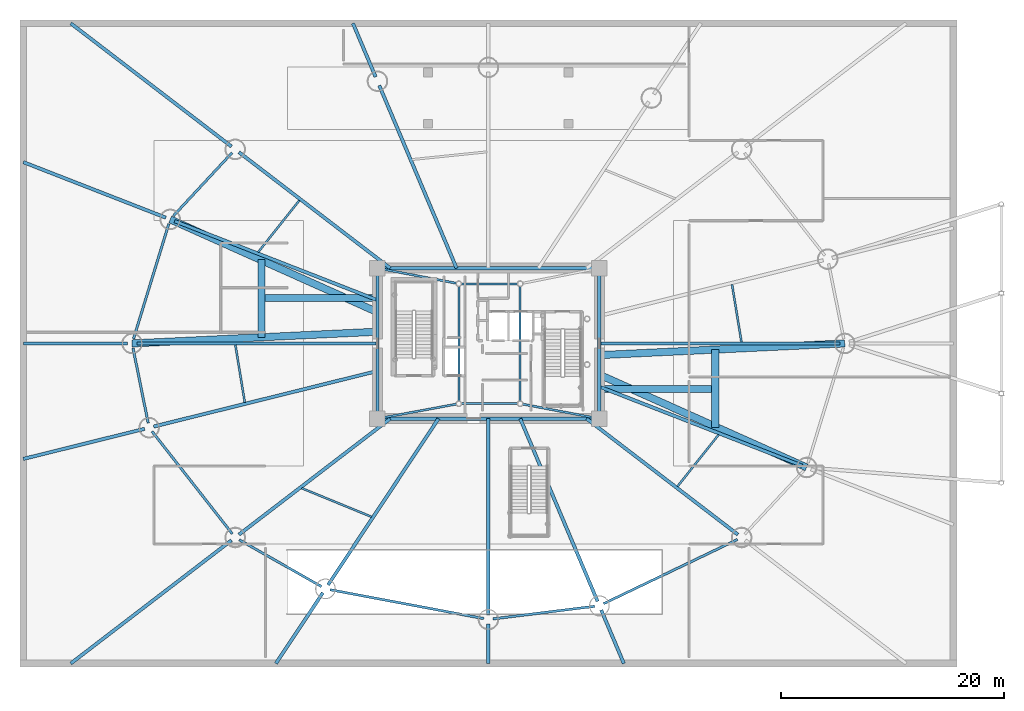
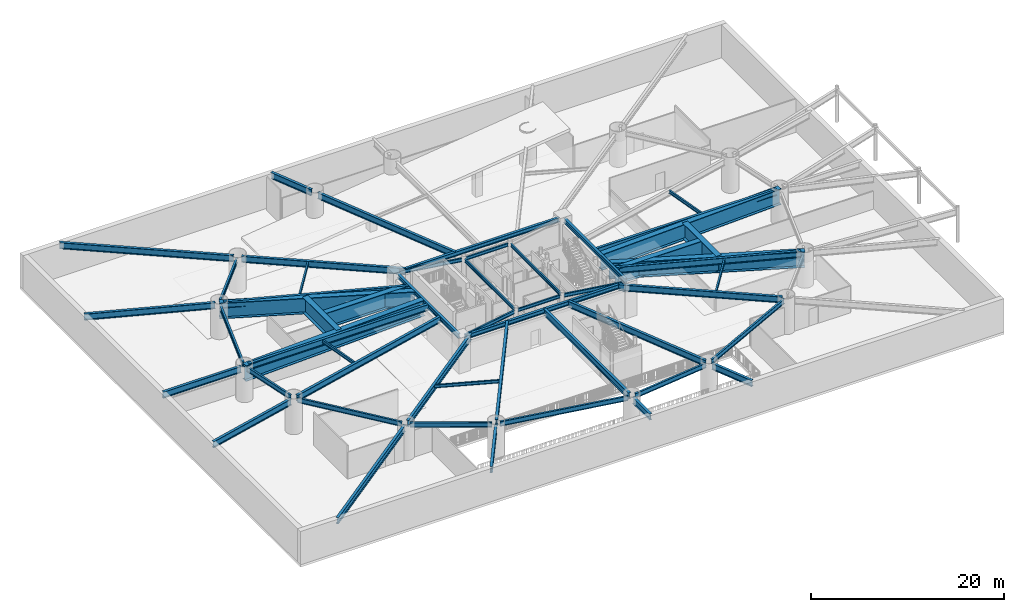
# One storey, part 5 of 21: 53 beams.
"""IFC4 building model written with IfcOpenShell, lengths in metres."""

from ifc_helpers import new_model, si_unit, direction, frame, origin, origin_2d, place, context, subcontext, project, spatial, i_section, extrude, material, material_profile, profile_set, type_object, element, save


model = new_model("IFC4")

# Units and contexts
model_context = context("Model", 3, precision=1e-05, world=origin(), true_north=direction((0.0, 1.0)))
body_context = subcontext(model_context, "Body", "Model", "MODEL_VIEW")
ifc_project = project(units=[si_unit("LENGTHUNIT", "METRE"), si_unit("AREAUNIT", "SQUARE_METRE"), si_unit("VOLUMEUNIT", "CUBIC_METRE"), si_unit("PLANEANGLEUNIT", "RADIAN"), si_unit("MASSUNIT", "GRAM", prefix="KILO")], contexts=[model_context])

# Site, building, storey
site_placement = place(None, origin())
site = spatial("IfcSite", under=ifc_project, at=site_placement, CompositionType="ELEMENT")
building_placement = place(site_placement, origin())
building = spatial("IfcBuilding", under=site, at=building_placement, Name="Linh Dai School and Residence Tower", CompositionType="ELEMENT")
storey_placement = place(building_placement, frame((0.0, 0.0, -4.5)))
storey = spatial("IfcBuildingStorey", under=building, at=storey_placement, Name="B01", CompositionType="ELEMENT", Elevation=-4.5)

# Beams
ifc_material = material(Name="Structural Steel S355JR", Category="steel")
ifc_material_profile_1 = material_profile(ifc_material, i_section(OverallWidth=0.219970703125, OverallDepth=0.60009765625, WebThickness=0.011962890625, FlangeThickness=0.01904296875, FilletRadius=0.02392578125, at=origin_2d()), Name="IPE 600")
ifc_profile_set_1 = profile_set([ifc_material_profile_1], Name="Structural Steel S355JR")
beam_type_1 = type_object("IfcBeamType", Name="BM-RB60", PredefinedType="BEAM", material=ifc_profile_set_1)
beam_1_placement = place(storey_placement, frame((13.009033203125, 44.0927734375, 3.89990234375), z_axis=(-0.680345653715, -0.73289139132, 0.0), x_axis=(0.73289139132, -0.680345653715, 0.0)))
element("IfcBeam", 1, at=beam_1_placement, inside=storey, type_object=beam_type_1, Name="B01 Perimeter Elliptical Ring Beam 07", PredefinedType="BEAM", context=body_context, shape_type="SweptSolid", body=[
    extrude(i_section(OverallWidth=0.219970703125, OverallDepth=0.60009765625, WebThickness=0.011962890625, FlangeThickness=0.01904296875, FilletRadius=0.02392578125, at=origin_2d()), origin(), (0.0, 0.0, 1.0), 7.726806640625),
])
beam_2_placement = place(storey_placement, frame((7.343017578125, 37.720458984375, 3.89990234375), z_axis=(-0.293626522026, -0.955920219246, 0.0), x_axis=(0.955920219246, -0.293626522026, 0.0)))
element("IfcBeam", 2, at=beam_2_placement, inside=storey, type_object=beam_type_1, Name="B01 Perimeter Elliptical Ring Beam 08", PredefinedType="BEAM", context=body_context, shape_type="SweptSolid", body=[
    extrude(i_section(OverallWidth=0.219970703125, OverallDepth=0.60009765625, WebThickness=0.011962890625, FlangeThickness=0.01904296875, FilletRadius=0.02392578125, at=origin_2d()), origin(), (0.0, 0.0, 1.0), 10.794921875),
])
beam_3_placement = place(storey_placement, frame((4.13330078125, 26.58837890625, 3.89990234375), z_axis=(0.198405440792, -0.980120034008, 0.0), x_axis=(0.980120034008, 0.198405440792, 0.0)))
element("IfcBeam", 3, at=beam_3_placement, inside=storey, type_object=beam_type_1, Name="B01 Perimeter Elliptical Ring Beam 09", PredefinedType="BEAM", context=body_context, shape_type="SweptSolid", body=[
    extrude(i_section(OverallWidth=0.219970703125, OverallDepth=0.60009765625, WebThickness=0.011962890625, FlangeThickness=0.01904296875, FilletRadius=0.02392578125, at=origin_2d()), origin(), (0.0, 0.0, 1.0), 6.86865234375),
])
beam_4_placement = place(storey_placement, frame((5.838623046875, 19.114013671875, 3.89990234375), z_axis=(0.616811949607, -0.787110550572, 0.0), x_axis=(0.787110550572, 0.616811949607, 0.0)))
element("IfcBeam", 4, at=beam_4_placement, inside=storey, type_object=beam_type_1, Name="B01 Perimeter Elliptical Ring Beam 10", PredefinedType="BEAM", context=body_context, shape_type="SweptSolid", body=[
    extrude(i_section(OverallWidth=0.219970703125, OverallDepth=0.60009765625, WebThickness=0.011962890625, FlangeThickness=0.01904296875, FilletRadius=0.02392578125, at=origin_2d()), origin(), (0.0, 0.0, 1.0), 11.668212890625),
])
beam_5_placement = place(storey_placement, frame((13.659912109375, 9.3916015625, 3.89990234375), z_axis=(0.869246663758, -0.494378637833, 0.0), x_axis=(0.494378637833, 0.869246663758, 0.0)))
element("IfcBeam", 5, at=beam_5_placement, inside=storey, type_object=beam_type_1, Name="B01 Perimeter Elliptical Ring Beam 11", PredefinedType="BEAM", context=body_context, shape_type="SweptSolid", body=[
    extrude(i_section(OverallWidth=0.219970703125, OverallDepth=0.60009765625, WebThickness=0.011962890625, FlangeThickness=0.01904296875, FilletRadius=0.02392578125, at=origin_2d()), origin(), (0.0, 0.0, 1.0), 8.4736328125),
])
beam_6_placement = place(storey_placement, frame((21.803466796875, 4.917236328125, 3.89990234375), z_axis=(0.98280551354, -0.184643772045, 0.0), x_axis=(0.184643772045, 0.98280551354, 0.0)))
element("IfcBeam", 6, at=beam_6_placement, inside=storey, type_object=beam_type_1, Name="B01 Perimeter Elliptical Ring Beam 12", PredefinedType="BEAM", context=body_context, shape_type="SweptSolid", body=[
    extrude(i_section(OverallWidth=0.219970703125, OverallDepth=0.60009765625, WebThickness=0.011962890625, FlangeThickness=0.01904296875, FilletRadius=0.02392578125, at=origin_2d()), origin(), (0.0, 0.0, 1.0), 14.02490234375),
])
beam_7_placement = place(storey_placement, frame((36.416748046875, 2.3017578125, 3.89990234375), z_axis=(0.992402470446, 0.123033884169, 0.0), x_axis=(-0.123033884169, 0.992402470446, 0.0)))
element("IfcBeam", 7, at=beam_7_placement, inside=storey, type_object=beam_type_1, Name="B01 Perimeter Elliptical Ring Beam 13", PredefinedType="BEAM", context=body_context, shape_type="SweptSolid", body=[
    extrude(i_section(OverallWidth=0.219970703125, OverallDepth=0.60009765625, WebThickness=0.011962890625, FlangeThickness=0.01904296875, FilletRadius=0.02392578125, at=origin_2d()), origin(), (0.0, 0.0, 1.0), 9.1875),
])
beam_8_placement = place(storey_placement, frame((46.329833984375, 3.66552734375, 3.89990234375), z_axis=(0.901703667424, 0.432354595388, 0.0), x_axis=(-0.432354595388, 0.901703667424, 0.0)))
element("IfcBeam", 8, at=beam_8_placement, inside=storey, type_object=beam_type_1, Name="B01 Perimeter Elliptical Ring Beam 14", PredefinedType="BEAM", context=body_context, shape_type="SweptSolid", body=[
    extrude(i_section(OverallWidth=0.219970703125, OverallDepth=0.60009765625, WebThickness=0.011962890625, FlangeThickness=0.01904296875, FilletRadius=0.02392578125, at=origin_2d()), origin(), (0.0, 0.0, 1.0), 13.304443359375),
])
ifc_material_profile_2 = material_profile(ifc_material, i_section(OverallWidth=0.300048828125, OverallDepth=0.550048828125, WebThickness=0.014892578125, FlangeThickness=0.029052734375, FilletRadius=0.027099609375, at=origin_2d()), Name="HEB 550")
ifc_profile_set_2 = profile_set([ifc_material_profile_2], Name="Structural Steel S355JR")
beam_type_2 = type_object("IfcBeamType", Name="BM-RG55", PredefinedType="BEAM", material=ifc_profile_set_2)
beam_9_placement = place(storey_placement, frame((26.469970703125, 20.25, 3.925048828125), z_axis=(1.0, 0.0, 0.0), x_axis=(0.0, 1.0, 0.0)))
element("IfcBeam", 9, at=beam_9_placement, inside=storey, type_object=beam_type_2, Name="B01 Core Perimeter Coupling Girder 1", PredefinedType="BEAM", context=body_context, shape_type="SweptSolid", body=[
    extrude(i_section(OverallWidth=0.300048828125, OverallDepth=0.550048828125, WebThickness=0.014892578125, FlangeThickness=0.029052734375, FilletRadius=0.027099609375, at=origin_2d()), origin(), (0.0, 0.0, 1.0), 19.06005859375),
])
beam_10_placement = place(storey_placement, frame((45.949951171875, 20.669921875, 3.925048828125), z_axis=(0.0, 1.0, 0.0), x_axis=(-1.0, 0.0, 0.0)))
element("IfcBeam", 10, at=beam_10_placement, inside=storey, type_object=beam_type_2, Name="B01 Core Perimeter Coupling Girder 2", PredefinedType="BEAM", context=body_context, shape_type="SweptSolid", body=[
    extrude(i_section(OverallWidth=0.300048828125, OverallDepth=0.550048828125, WebThickness=0.014892578125, FlangeThickness=0.029052734375, FilletRadius=0.027099609375, at=origin_2d()), origin(), (0.0, 0.0, 1.0), 12.66015625),
])
beam_11_placement = place(storey_placement, frame((45.530029296875, 33.75, 3.925048828125), z_axis=(-1.0, 0.0, 0.0), x_axis=(0.0, -1.0, 0.0)))
element("IfcBeam", 11, at=beam_11_placement, inside=storey, type_object=beam_type_2, Name="B01 Core Perimeter Coupling Girder 3", PredefinedType="BEAM", context=body_context, shape_type="SweptSolid", body=[
    extrude(i_section(OverallWidth=0.300048828125, OverallDepth=0.550048828125, WebThickness=0.014892578125, FlangeThickness=0.029052734375, FilletRadius=0.027099609375, at=origin_2d()), origin(), (0.0, 0.0, 1.0), 19.06005859375),
])
beam_12_placement = place(storey_placement, frame((26.050048828125, 33.330078125, 3.925048828125), z_axis=(0.0, -1.0, 0.0), x_axis=(1.0, 0.0, 0.0)))
element("IfcBeam", 12, at=beam_12_placement, inside=storey, type_object=beam_type_2, Name="B01 Core Perimeter Coupling Girder 4", PredefinedType="BEAM", context=body_context, shape_type="SweptSolid", body=[
    extrude(i_section(OverallWidth=0.300048828125, OverallDepth=0.550048828125, WebThickness=0.014892578125, FlangeThickness=0.029052734375, FilletRadius=0.027099609375, at=origin_2d()), origin(), (0.0, 0.0, 1.0), 12.66015625),
])
ifc_material_profile_3 = material_profile(ifc_material, i_section(OverallWidth=0.300048828125, OverallDepth=0.800048828125, WebThickness=0.017578125, FlangeThickness=0.032958984375, FilletRadius=0.030029296875, at=origin_2d()), Name="HEB 800")
ifc_profile_set_3 = profile_set([ifc_material_profile_3], Name="Structural Steel S355JR")
beam_type_3 = type_object("IfcBeamType", Name="BM-RG8", PredefinedType="BEAM", material=ifc_profile_set_3)
beam_13_placement = place(storey_placement, frame((45.949951171875, 27.0, 3.800048828125), z_axis=(1.0, 0.0, 0.0), x_axis=(0.0, 1.0, 0.0)))
element("IfcBeam", 13, at=beam_13_placement, inside=storey, type_object=beam_type_3, Name="B01 Primary Radial Floor Girder 01", PredefinedType="BEAM", context=body_context, shape_type="SweptSolid", body=[
    extrude(i_section(OverallWidth=0.300048828125, OverallDepth=0.800048828125, WebThickness=0.017578125, FlangeThickness=0.032958984375, FilletRadius=0.030029296875, at=origin_2d()), origin(), (0.0, 0.0, 1.0), 21.580078125),
])
beam_14_placement = place(storey_placement, frame((33.1435546875, 33.75, 3.800048828125), z_axis=(-0.389695518128, 0.920943756779, 0.0), x_axis=(-0.920943756779, -0.389695518128, 0.0)))
element("IfcBeam", 14, at=beam_14_placement, inside=storey, type_object=beam_type_3, Name="B01 Primary Radial Floor Girder 06", PredefinedType="BEAM", context=body_context, shape_type="SweptSolid", body=[
    extrude(i_section(OverallWidth=0.300048828125, OverallDepth=0.800048828125, WebThickness=0.017578125, FlangeThickness=0.032958984375, FilletRadius=0.030029296875, at=origin_2d()), origin(), (0.0, 0.0, 1.0), 17.785400390625),
])
beam_15_placement = place(storey_placement, frame((27.192138671875, 33.75, 3.800048828125), z_axis=(-0.793713040757, 0.608292371259, 0.0), x_axis=(-0.608292371259, -0.793713040757, 0.0)))
element("IfcBeam", 15, at=beam_15_placement, inside=storey, type_object=beam_type_3, Name="B01 Primary Radial Floor Girder 07", PredefinedType="BEAM", context=body_context, shape_type="SweptSolid", body=[
    extrude(i_section(OverallWidth=0.300048828125, OverallDepth=0.800048828125, WebThickness=0.017578125, FlangeThickness=0.032958984375, FilletRadius=0.030029296875, at=origin_2d()), origin(), (0.0, 0.0, 1.0), 17.08935546875),
])
beam_16_placement = place(storey_placement, frame((26.050048828125, 30.87841796875, 3.800048828125), z_axis=(-0.931723276589, 0.363169018312, 0.0), x_axis=(-0.363169018312, -0.931723276589, 0.0)))
element("IfcBeam", 16, at=beam_16_placement, inside=storey, type_object=beam_type_3, Name="B01 Primary Radial Floor Girder 08", PredefinedType="BEAM", context=body_context, shape_type="SweptSolid", body=[
    extrude(i_section(OverallWidth=0.300048828125, OverallDepth=0.800048828125, WebThickness=0.017578125, FlangeThickness=0.032958984375, FilletRadius=0.030029296875, at=origin_2d()), origin(), (0.0, 0.0, 1.0), 19.525634765625),
])
beam_17_placement = place(storey_placement, frame((26.050048828125, 27.0, 3.800048828125), z_axis=(-1.0, 0.0, 0.0), x_axis=(0.0, -1.0, 0.0)))
element("IfcBeam", 17, at=beam_17_placement, inside=storey, type_object=beam_type_3, Name="B01 Primary Radial Floor Girder 09", PredefinedType="BEAM", context=body_context, shape_type="SweptSolid", body=[
    extrude(i_section(OverallWidth=0.300048828125, OverallDepth=0.800048828125, WebThickness=0.017578125, FlangeThickness=0.032958984375, FilletRadius=0.030029296875, at=origin_2d()), origin(), (0.0, 0.0, 1.0), 21.580078125),
])
beam_18_placement = place(storey_placement, frame((26.050048828125, 24.52880859375, 3.800048828125), z_axis=(-0.970515097282, -0.241040340913, 0.0), x_axis=(0.241040340913, -0.970515097282, 0.0)))
element("IfcBeam", 18, at=beam_18_placement, inside=storey, type_object=beam_type_3, Name="B01 Primary Radial Floor Girder 10", PredefinedType="BEAM", context=body_context, shape_type="SweptSolid", body=[
    extrude(i_section(OverallWidth=0.300048828125, OverallDepth=0.800048828125, WebThickness=0.017578125, FlangeThickness=0.032958984375, FilletRadius=0.030029296875, at=origin_2d()), origin(), (0.0, 0.0, 1.0), 20.672607421875),
])
beam_19_placement = place(storey_placement, frame((27.192138671875, 20.25, 3.800048828125), z_axis=(-0.793713040757, -0.608292371259, 0.0), x_axis=(0.608292371259, -0.793713040757, 0.0)))
element("IfcBeam", 19, at=beam_19_placement, inside=storey, type_object=beam_type_3, Name="B01 Primary Radial Floor Girder 11", PredefinedType="BEAM", context=body_context, shape_type="SweptSolid", body=[
    extrude(i_section(OverallWidth=0.300048828125, OverallDepth=0.800048828125, WebThickness=0.017578125, FlangeThickness=0.032958984375, FilletRadius=0.030029296875, at=origin_2d()), origin(), (0.0, 0.0, 1.0), 17.08935546875),
])
beam_20_placement = place(storey_placement, frame((31.518798828125, 20.25, 3.800048828125), z_axis=(-0.553108911901, -0.833108955404, 0.0), x_axis=(0.833108955404, -0.553108911901, 0.0)))
element("IfcBeam", 20, at=beam_20_placement, inside=storey, type_object=beam_type_3, Name="B01 Primary Radial Floor Girder 12", PredefinedType="BEAM", context=body_context, shape_type="SweptSolid", body=[
    extrude(i_section(OverallWidth=0.300048828125, OverallDepth=0.800048828125, WebThickness=0.017578125, FlangeThickness=0.032958984375, FilletRadius=0.030029296875, at=origin_2d()), origin(), (0.0, 0.0, 1.0), 17.89111328125),
])
beam_21_placement = place(storey_placement, frame((36.0, 20.25, 3.800048828125), z_axis=(0.0, -1.0, 0.0), x_axis=(1.0, 0.0, 0.0)))
element("IfcBeam", 21, at=beam_21_placement, inside=storey, type_object=beam_type_3, Name="B01 Primary Radial Floor Girder 13", PredefinedType="BEAM", context=body_context, shape_type="SweptSolid", body=[
    extrude(i_section(OverallWidth=0.300048828125, OverallDepth=0.800048828125, WebThickness=0.017578125, FlangeThickness=0.032958984375, FilletRadius=0.030029296875, at=origin_2d()), origin(), (0.0, 0.0, 1.0), 17.580078125),
])
beam_22_placement = place(storey_placement, frame((38.8564453125, 20.25, 3.800048828125), z_axis=(0.389695518128, -0.920943756779, 0.0), x_axis=(0.920943756779, 0.389695518128, 0.0)))
element("IfcBeam", 22, at=beam_22_placement, inside=storey, type_object=beam_type_3, Name="B01 Primary Radial Floor Girder 14", PredefinedType="BEAM", context=body_context, shape_type="SweptSolid", body=[
    extrude(i_section(OverallWidth=0.300048828125, OverallDepth=0.800048828125, WebThickness=0.017578125, FlangeThickness=0.032958984375, FilletRadius=0.030029296875, at=origin_2d()), origin(), (0.0, 0.0, 1.0), 17.785400390625),
])
beam_23_placement = place(storey_placement, frame((44.807861328125, 20.25, 3.800048828125), z_axis=(0.793713040757, -0.608292371259, 0.0), x_axis=(0.608292371259, 0.793713040757, 0.0)))
element("IfcBeam", 23, at=beam_23_placement, inside=storey, type_object=beam_type_3, Name="B01 Primary Radial Floor Girder 15", PredefinedType="BEAM", context=body_context, shape_type="SweptSolid", body=[
    extrude(i_section(OverallWidth=0.300048828125, OverallDepth=0.800048828125, WebThickness=0.017578125, FlangeThickness=0.032958984375, FilletRadius=0.030029296875, at=origin_2d()), origin(), (0.0, 0.0, 1.0), 17.08935546875),
])
beam_24_placement = place(storey_placement, frame((45.949951171875, 23.12158203125, 3.800048828125), z_axis=(0.931723276589, -0.363169018312, 0.0), x_axis=(0.363169018312, 0.931723276589, 0.0)))
element("IfcBeam", 24, at=beam_24_placement, inside=storey, type_object=beam_type_3, Name="B01 Primary Radial Floor Girder 16", PredefinedType="BEAM", context=body_context, shape_type="SweptSolid", body=[
    extrude(i_section(OverallWidth=0.300048828125, OverallDepth=0.800048828125, WebThickness=0.017578125, FlangeThickness=0.032958984375, FilletRadius=0.030029296875, at=origin_2d()), origin(), (0.0, 0.0, 1.0), 19.525634765625),
])
beam_25_placement = place(storey_placement, frame((25.88525390625, 50.90283203125, 3.800048828125), z_axis=(-0.389717967671, 0.920934256977, 0.0), x_axis=(-0.920934256977, -0.389717967671, 0.0)))
element("IfcBeam", 25, at=beam_25_placement, inside=storey, type_object=beam_type_3, Name="B01 Basement Retention Tie Girder 06", PredefinedType="BEAM", context=body_context, shape_type="SweptSolid", body=[
    extrude(i_section(OverallWidth=0.300048828125, OverallDepth=0.800048828125, WebThickness=0.017578125, FlangeThickness=0.032958984375, FilletRadius=0.030029296875, at=origin_2d()), origin(), (0.0, 0.0, 1.0), 5.208984375),
])
beam_26_placement = place(storey_placement, frame((12.96142578125, 44.656005859375, 3.800048828125), z_axis=(-0.793718458888, 0.608285301499, 0.0), x_axis=(-0.608285301499, -0.793718458888, 0.0)))
element("IfcBeam", 26, at=beam_26_placement, inside=storey, type_object=beam_type_3, Name="B01 Basement Retention Tie Girder 07", PredefinedType="BEAM", context=body_context, shape_type="SweptSolid", body=[
    extrude(i_section(OverallWidth=0.300048828125, OverallDepth=0.800048828125, WebThickness=0.017578125, FlangeThickness=0.032958984375, FilletRadius=0.030029296875, at=origin_2d()), origin(), (0.0, 0.0, 1.0), 18.15576171875),
])
beam_27_placement = place(storey_placement, frame((7.074951171875, 38.274658203125, 3.800048828125), z_axis=(-0.931721686457, 0.363173097828, 0.0), x_axis=(-0.363173097828, -0.931721686457, 0.0)))
element("IfcBeam", 27, at=beam_27_placement, inside=storey, type_object=beam_type_3, Name="B01 Basement Retention Tie Girder 08", PredefinedType="BEAM", context=body_context, shape_type="SweptSolid", body=[
    extrude(i_section(OverallWidth=0.300048828125, OverallDepth=0.800048828125, WebThickness=0.017578125, FlangeThickness=0.032958984375, FilletRadius=0.030029296875, at=origin_2d()), origin(), (0.0, 0.0, 1.0), 13.711181640625),
])
beam_28_placement = place(storey_placement, frame((3.6298828125, 27.0, 3.800048828125), z_axis=(-1.0, 0.0, 0.0), x_axis=(0.0, -1.0, 0.0)))
element("IfcBeam", 28, at=beam_28_placement, inside=storey, type_object=beam_type_3, Name="B01 Basement Retention Tie Girder 09", PredefinedType="BEAM", context=body_context, shape_type="SweptSolid", body=[
    extrude(i_section(OverallWidth=0.300048828125, OverallDepth=0.800048828125, WebThickness=0.017578125, FlangeThickness=0.032958984375, FilletRadius=0.030029296875, at=origin_2d()), origin(), (0.0, 0.0, 1.0), 9.329833984375),
])
beam_29_placement = place(storey_placement, frame((5.171875, 19.34326171875, 3.800048828125), z_axis=(-0.970514416693, -0.241043081193, 0.0), x_axis=(0.241043081193, -0.970514416693, 0.0)))
element("IfcBeam", 29, at=beam_29_placement, inside=storey, type_object=beam_type_3, Name="B01 Basement Retention Tie Girder 10", PredefinedType="BEAM", context=body_context, shape_type="SweptSolid", body=[
    extrude(i_section(OverallWidth=0.300048828125, OverallDepth=0.800048828125, WebThickness=0.017578125, FlangeThickness=0.032958984375, FilletRadius=0.030029296875, at=origin_2d()), origin(), (0.0, 0.0, 1.0), 11.2021484375),
])
beam_30_placement = place(storey_placement, frame((12.96142578125, 9.343994140625, 3.800048828125), z_axis=(-0.793718458888, -0.608285301499, 0.0), x_axis=(0.608285301499, -0.793718458888, 0.0)))
element("IfcBeam", 30, at=beam_30_placement, inside=storey, type_object=beam_type_3, Name="B01 Basement Retention Tie Girder 11", PredefinedType="BEAM", context=body_context, shape_type="SweptSolid", body=[
    extrude(i_section(OverallWidth=0.300048828125, OverallDepth=0.800048828125, WebThickness=0.017578125, FlangeThickness=0.032958984375, FilletRadius=0.030029296875, at=origin_2d()), origin(), (0.0, 0.0, 1.0), 18.15576171875),
])
beam_31_placement = place(storey_placement, frame((21.158447265625, 4.64501953125, 3.800048828125), z_axis=(-0.553101284644, -0.833114019162, 0.0), x_axis=(0.833114019162, -0.553101284644, 0.0)))
element("IfcBeam", 31, at=beam_31_placement, inside=storey, type_object=beam_type_3, Name="B01 Basement Retention Tie Girder 12", PredefinedType="BEAM", context=body_context, shape_type="SweptSolid", body=[
    extrude(i_section(OverallWidth=0.300048828125, OverallDepth=0.800048828125, WebThickness=0.017578125, FlangeThickness=0.032958984375, FilletRadius=0.030029296875, at=origin_2d()), origin(), (0.0, 0.0, 1.0), 7.615966796875),
])
beam_32_placement = place(storey_placement, frame((36.0, 1.830078125, 3.800048828125), z_axis=(0.0, -1.0, 0.0), x_axis=(1.0, 0.0, 0.0)))
element("IfcBeam", 32, at=beam_32_placement, inside=storey, type_object=beam_type_3, Name="B01 Basement Retention Tie Girder 13", PredefinedType="BEAM", context=body_context, shape_type="SweptSolid", body=[
    extrude(i_section(OverallWidth=0.300048828125, OverallDepth=0.800048828125, WebThickness=0.017578125, FlangeThickness=0.032958984375, FilletRadius=0.030029296875, at=origin_2d()), origin(), (0.0, 0.0, 1.0), 3.530029296875),
])
beam_33_placement = place(storey_placement, frame((46.11474609375, 3.09716796875, 3.800048828125), z_axis=(0.389717967671, -0.920934256977, 0.0), x_axis=(0.920934256977, 0.389717967671, 0.0)))
element("IfcBeam", 33, at=beam_33_placement, inside=storey, type_object=beam_type_3, Name="B01 Basement Retention Tie Girder 14", PredefinedType="BEAM", context=body_context, shape_type="SweptSolid", body=[
    extrude(i_section(OverallWidth=0.300048828125, OverallDepth=0.800048828125, WebThickness=0.017578125, FlangeThickness=0.032958984375, FilletRadius=0.030029296875, at=origin_2d()), origin(), (0.0, 0.0, 1.0), 5.208984375),
])
ifc_material_profile_4 = material_profile(ifc_material, i_section(OverallWidth=0.179931640625, OverallDepth=0.39990234375, WebThickness=0.008544921875, FlangeThickness=0.013427734375, FilletRadius=0.02099609375, at=origin_2d()), Name="IPE 400")
ifc_profile_set_4 = profile_set([ifc_material_profile_4], Name="Structural Steel S355JR")
beam_type_4 = type_object("IfcBeamType", Name="BM-SB40", PredefinedType="BEAM", material=ifc_profile_set_4)
beam_34_placement = place(storey_placement, frame((33.573974609375, 21.60009765625, 4.0), z_axis=(1.0, 0.0, 0.0), x_axis=(0.0, 1.0, 0.0)))
element("IfcBeam", 34, at=beam_34_placement, inside=storey, type_object=beam_type_4, Name="B01 Core Mast Pier Tie Beam 1", PredefinedType="BEAM", context=body_context, shape_type="SweptSolid", body=[
    extrude(i_section(OverallWidth=0.179931640625, OverallDepth=0.39990234375, WebThickness=0.008544921875, FlangeThickness=0.013427734375, FilletRadius=0.02099609375, at=origin_2d()), origin(), (0.0, 0.0, 1.0), 5.052001953125),
])
beam_35_placement = place(storey_placement, frame((38.85009765625, 21.823974609375, 4.0), z_axis=(0.0, 1.0, 0.0), x_axis=(-1.0, 0.0, 0.0)))
element("IfcBeam", 35, at=beam_35_placement, inside=storey, type_object=beam_type_4, Name="B01 Core Mast Pier Tie Beam 2", PredefinedType="BEAM", context=body_context, shape_type="SweptSolid", body=[
    extrude(i_section(OverallWidth=0.179931640625, OverallDepth=0.39990234375, WebThickness=0.008544921875, FlangeThickness=0.013427734375, FilletRadius=0.02099609375, at=origin_2d()), origin(), (0.0, 0.0, 1.0), 10.302001953125),
])
beam_36_placement = place(storey_placement, frame((38.6259765625, 32.35009765625, 4.0), z_axis=(-1.0, 0.0, 0.0), x_axis=(0.0, -1.0, 0.0)))
element("IfcBeam", 36, at=beam_36_placement, inside=storey, type_object=beam_type_4, Name="B01 Core Mast Pier Tie Beam 3", PredefinedType="BEAM", context=body_context, shape_type="SweptSolid", body=[
    extrude(i_section(OverallWidth=0.179931640625, OverallDepth=0.39990234375, WebThickness=0.008544921875, FlangeThickness=0.013427734375, FilletRadius=0.02099609375, at=origin_2d()), origin(), (0.0, 0.0, 1.0), 5.052001953125),
])
beam_37_placement = place(storey_placement, frame((33.35009765625, 32.1259765625, 4.0), z_axis=(0.0, -1.0, 0.0), x_axis=(1.0, 0.0, 0.0)))
element("IfcBeam", 37, at=beam_37_placement, inside=storey, type_object=beam_type_4, Name="B01 Core Mast Pier Tie Beam 4", PredefinedType="BEAM", context=body_context, shape_type="SweptSolid", body=[
    extrude(i_section(OverallWidth=0.179931640625, OverallDepth=0.39990234375, WebThickness=0.008544921875, FlangeThickness=0.013427734375, FilletRadius=0.02099609375, at=origin_2d()), origin(), (0.0, 0.0, 1.0), 10.302001953125),
])
beam_38_placement = place(storey_placement, frame((58.68896484375, 27.128173828125, 4.0), z_axis=(-0.161492699369, 0.986873906865, 0.0), x_axis=(-0.986873906865, -0.161492699369, 0.0)))
element("IfcBeam", 38, at=beam_38_placement, inside=storey, type_object=beam_type_4, Name="B01 Secondary Circumferential Floor Beam 01", PredefinedType="BEAM", context=body_context, shape_type="SweptSolid", body=[
    extrude(i_section(OverallWidth=0.179931640625, OverallDepth=0.39990234375, WebThickness=0.008544921875, FlangeThickness=0.013427734375, FilletRadius=0.02099609375, at=origin_2d()), origin(), (0.0, 0.0, 1.0), 5.232177734375),
])
beam_39_placement = place(storey_placement, frame((19.05078125, 39.82568359375, 4.0), z_axis=(-0.622928179858, -0.782279031254, 0.0), x_axis=(0.782279031254, -0.622928179858, 0.0)))
element("IfcBeam", 39, at=beam_39_placement, inside=storey, type_object=beam_type_4, Name="B01 Secondary Circumferential Floor Beam 04", PredefinedType="BEAM", context=body_context, shape_type="SweptSolid", body=[
    extrude(i_section(OverallWidth=0.179931640625, OverallDepth=0.39990234375, WebThickness=0.008544921875, FlangeThickness=0.013427734375, FilletRadius=0.02099609375, at=origin_2d()), origin(), (0.0, 0.0, 1.0), 5.936767578125),
])
beam_40_placement = place(storey_placement, frame((13.31103515625, 26.871826171875, 4.0), z_axis=(0.161492699369, -0.986873906865, 0.0), x_axis=(0.986873906865, 0.161492699369, 0.0)))
element("IfcBeam", 40, at=beam_40_placement, inside=storey, type_object=beam_type_4, Name="B01 Secondary Circumferential Floor Beam 05", PredefinedType="BEAM", context=body_context, shape_type="SweptSolid", body=[
    extrude(i_section(OverallWidth=0.179931640625, OverallDepth=0.39990234375, WebThickness=0.008544921875, FlangeThickness=0.013427734375, FilletRadius=0.02099609375, at=origin_2d()), origin(), (0.0, 0.0, 1.0), 5.232177734375),
])
beam_41_placement = place(storey_placement, frame((19.251953125, 14.023193359375, 4.0), z_axis=(0.925243182728, -0.37937455478, 0.0), x_axis=(0.37937455478, 0.925243182728, 0.0)))
element("IfcBeam", 41, at=beam_41_placement, inside=storey, type_object=beam_type_4, Name="B01 Secondary Circumferential Floor Beam 06", PredefinedType="BEAM", context=body_context, shape_type="SweptSolid", body=[
    extrude(i_section(OverallWidth=0.179931640625, OverallDepth=0.39990234375, WebThickness=0.008544921875, FlangeThickness=0.013427734375, FilletRadius=0.02099609375, at=origin_2d()), origin(), (0.0, 0.0, 1.0), 6.779052734375),
])
beam_42_placement = place(storey_placement, frame((52.94921875, 14.17431640625, 4.0), z_axis=(0.622928179858, 0.782279031254, 0.0), x_axis=(-0.782279031254, 0.622928179858, 0.0)))
element("IfcBeam", 42, at=beam_42_placement, inside=storey, type_object=beam_type_4, Name="B01 Secondary Circumferential Floor Beam 08", PredefinedType="BEAM", context=body_context, shape_type="SweptSolid", body=[
    extrude(i_section(OverallWidth=0.179931640625, OverallDepth=0.39990234375, WebThickness=0.008544921875, FlangeThickness=0.013427734375, FilletRadius=0.02099609375, at=origin_2d()), origin(), (0.0, 0.0, 1.0), 5.936767578125),
])
ifc_material_profile_5 = material_profile(ifc_material, i_section(OverallWidth=0.18994140625, OverallDepth=0.449951171875, WebThickness=0.009521484375, FlangeThickness=0.0146484375, FilletRadius=0.02099609375, at=origin_2d()), Name="IPE 450")
ifc_profile_set_5 = profile_set([ifc_material_profile_5], Name="Structural Steel S355JR")
beam_type_5 = type_object("IfcBeamType", Name="BM-SB45", PredefinedType="BEAM", material=ifc_profile_set_5)
beam_43_placement = place(storey_placement, frame((26.462890625, 20.326416015625, 3.97509765625), z_axis=(0.983326152819, 0.18185070025, 0.0), x_axis=(-0.18185070025, 0.983326152819, 0.0)))
element("IfcBeam", 43, at=beam_43_placement, inside=storey, type_object=beam_type_5, Name="B01 Core Corner-to-Mast Pier Beam 1", PredefinedType="BEAM", context=body_context, shape_type="SweptSolid", body=[
    extrude(i_section(OverallWidth=0.18994140625, OverallDepth=0.449951171875, WebThickness=0.009521484375, FlangeThickness=0.0146484375, FilletRadius=0.02099609375, at=origin_2d()), origin(), (0.0, 0.0, 1.0), 6.77978515625),
])
beam_44_placement = place(storey_placement, frame((45.537353515625, 20.328369140625, 3.97509765625), z_axis=(-0.982397918823, 0.186800238471, 0.0), x_axis=(-0.186800238471, -0.982397918823, 0.0)))
element("IfcBeam", 44, at=beam_44_placement, inside=storey, type_object=beam_type_5, Name="B01 Core Corner-to-Mast Pier Beam 2", PredefinedType="BEAM", context=body_context, shape_type="SweptSolid", body=[
    extrude(i_section(OverallWidth=0.18994140625, OverallDepth=0.449951171875, WebThickness=0.009521484375, FlangeThickness=0.0146484375, FilletRadius=0.02099609375, at=origin_2d()), origin(), (0.0, 0.0, 1.0), 6.583251953125),
])
beam_45_placement = place(storey_placement, frame((26.46240234375, 33.6708984375, 3.97509765625), z_axis=(0.982100456787, -0.188357884832, 0.0), x_axis=(0.188357884832, 0.982100456787, 0.0)))
element("IfcBeam", 45, at=beam_45_placement, inside=storey, type_object=beam_type_5, Name="B01 Core Corner-to-Mast Pier Beam 4", PredefinedType="BEAM", context=body_context, shape_type="SweptSolid", body=[
    extrude(i_section(OverallWidth=0.18994140625, OverallDepth=0.449951171875, WebThickness=0.009521484375, FlangeThickness=0.0146484375, FilletRadius=0.02099609375, at=origin_2d()), origin(), (0.0, 0.0, 1.0), 6.789306640625),
])
ifc_material_profile_6 = material_profile(ifc_material, i_section(OverallWidth=0.64990234375, OverallDepth=2.0, WebThickness=0.031982421875, FlangeThickness=0.06005859375, at=origin_2d()), Name="PG 2000x650x32x60")
ifc_profile_set_6 = profile_set([ifc_material_profile_6], Name="Structural Steel S355JR")
beam_type_6 = type_object("IfcBeamType", Name="BM-TG20", PredefinedType="BEAM", material=ifc_profile_set_6)
beam_46_placement = place(storey_placement, frame((7.469970703125, 38.1201171875, 3.199951171875), z_axis=(0.912673025431, -0.408690529192, 0.0), x_axis=(0.408690529192, 0.912673025431, 0.0)))
element("IfcBeam", 46, at=beam_46_placement, inside=storey, type_object=beam_type_6, Name="B01 Podium Stair Transfer Girder STS1-DIAG", PredefinedType="BEAM", context=body_context, shape_type="SweptSolid", body=[
    extrude(i_section(OverallWidth=0.64990234375, OverallDepth=2.0, WebThickness=0.031982421875, FlangeThickness=0.06005859375, at=origin_2d()), origin(), (0.0, 0.0, 1.0), 20.35791015625),
])
beam_47_placement = place(storey_placement, frame((4.050048828125, 27.0, 3.199951171875), z_axis=(0.99886289026, 0.047675218517, 0.0), x_axis=(-0.047675218517, 0.99886289026, 0.0)))
element("IfcBeam", 47, at=beam_47_placement, inside=storey, type_object=beam_type_6, Name="B01 Podium Stair Transfer Girder STS1-S", PredefinedType="BEAM", context=body_context, shape_type="SweptSolid", body=[
    extrude(i_section(OverallWidth=0.64990234375, OverallDepth=2.0, WebThickness=0.031982421875, FlangeThickness=0.06005859375, at=origin_2d()), origin(), (0.0, 0.0, 1.0), 22.025146484375),
])
beam_48_placement = place(storey_placement, frame((15.64990234375, 27.5400390625, 3.199951171875), z_axis=(0.0, 1.0, 0.0), x_axis=(-1.0, 0.0, 0.0)))
element("IfcBeam", 48, at=beam_48_placement, inside=storey, type_object=beam_type_6, Name="B01 Podium Stair Transfer Girder STS1-W", PredefinedType="BEAM", context=body_context, shape_type="SweptSolid", body=[
    extrude(i_section(OverallWidth=0.64990234375, OverallDepth=2.0, WebThickness=0.031982421875, FlangeThickness=0.06005859375, at=origin_2d()), origin(), (0.0, 0.0, 1.0), 7.0),
])
beam_49_placement = place(storey_placement, frame((15.64990234375, 31.080078125, 3.199951171875), z_axis=(1.0, 0.0, 0.0), x_axis=(0.0, 1.0, 0.0)))
element("IfcBeam", 49, at=beam_49_placement, inside=storey, type_object=beam_type_6, Name="B01 Podium Stair Transfer Girder STS1-N", PredefinedType="BEAM", context=body_context, shape_type="SweptSolid", body=[
    extrude(i_section(OverallWidth=0.64990234375, OverallDepth=2.0, WebThickness=0.031982421875, FlangeThickness=0.06005859375, at=origin_2d()), origin(), (0.0, 0.0, 1.0), 10.400146484375),
])
beam_50_placement = place(storey_placement, frame((64.530029296875, 15.8798828125, 3.199951171875), z_axis=(-0.912673025431, 0.408690529192, 0.0), x_axis=(-0.408690529192, -0.912673025431, 0.0)))
element("IfcBeam", 50, at=beam_50_placement, inside=storey, type_object=beam_type_6, Name="B01 Podium Stair Transfer Girder STS2-DIAG", PredefinedType="BEAM", context=body_context, shape_type="SweptSolid", body=[
    extrude(i_section(OverallWidth=0.64990234375, OverallDepth=2.0, WebThickness=0.031982421875, FlangeThickness=0.06005859375, at=origin_2d()), origin(), (0.0, 0.0, 1.0), 20.35791015625),
])
beam_51_placement = place(storey_placement, frame((67.949951171875, 27.0, 3.199951171875), z_axis=(-0.99886289026, -0.047675218517, 0.0), x_axis=(0.047675218517, -0.99886289026, 0.0)))
element("IfcBeam", 51, at=beam_51_placement, inside=storey, type_object=beam_type_6, Name="B01 Podium Stair Transfer Girder STS2-N", PredefinedType="BEAM", context=body_context, shape_type="SweptSolid", body=[
    extrude(i_section(OverallWidth=0.64990234375, OverallDepth=2.0, WebThickness=0.031982421875, FlangeThickness=0.06005859375, at=origin_2d()), origin(), (0.0, 0.0, 1.0), 22.025146484375),
])
beam_52_placement = place(storey_placement, frame((56.35009765625, 26.4599609375, 3.199951171875), z_axis=(0.0, -1.0, 0.0), x_axis=(1.0, 0.0, 0.0)))
element("IfcBeam", 52, at=beam_52_placement, inside=storey, type_object=beam_type_6, Name="B01 Podium Stair Transfer Girder STS2-E", PredefinedType="BEAM", context=body_context, shape_type="SweptSolid", body=[
    extrude(i_section(OverallWidth=0.64990234375, OverallDepth=2.0, WebThickness=0.031982421875, FlangeThickness=0.06005859375, at=origin_2d()), origin(), (0.0, 0.0, 1.0), 7.0),
])
beam_53_placement = place(storey_placement, frame((56.35009765625, 22.919921875, 3.199951171875), z_axis=(-1.0, 0.0, 0.0), x_axis=(0.0, -1.0, 0.0)))
element("IfcBeam", 53, at=beam_53_placement, inside=storey, type_object=beam_type_6, Name="B01 Podium Stair Transfer Girder STS2-S", PredefinedType="BEAM", context=body_context, shape_type="SweptSolid", body=[
    extrude(i_section(OverallWidth=0.64990234375, OverallDepth=2.0, WebThickness=0.031982421875, FlangeThickness=0.06005859375, at=origin_2d()), origin(), (0.0, 0.0, 1.0), 10.400146484375),
])

save(model, "model.ifc")
